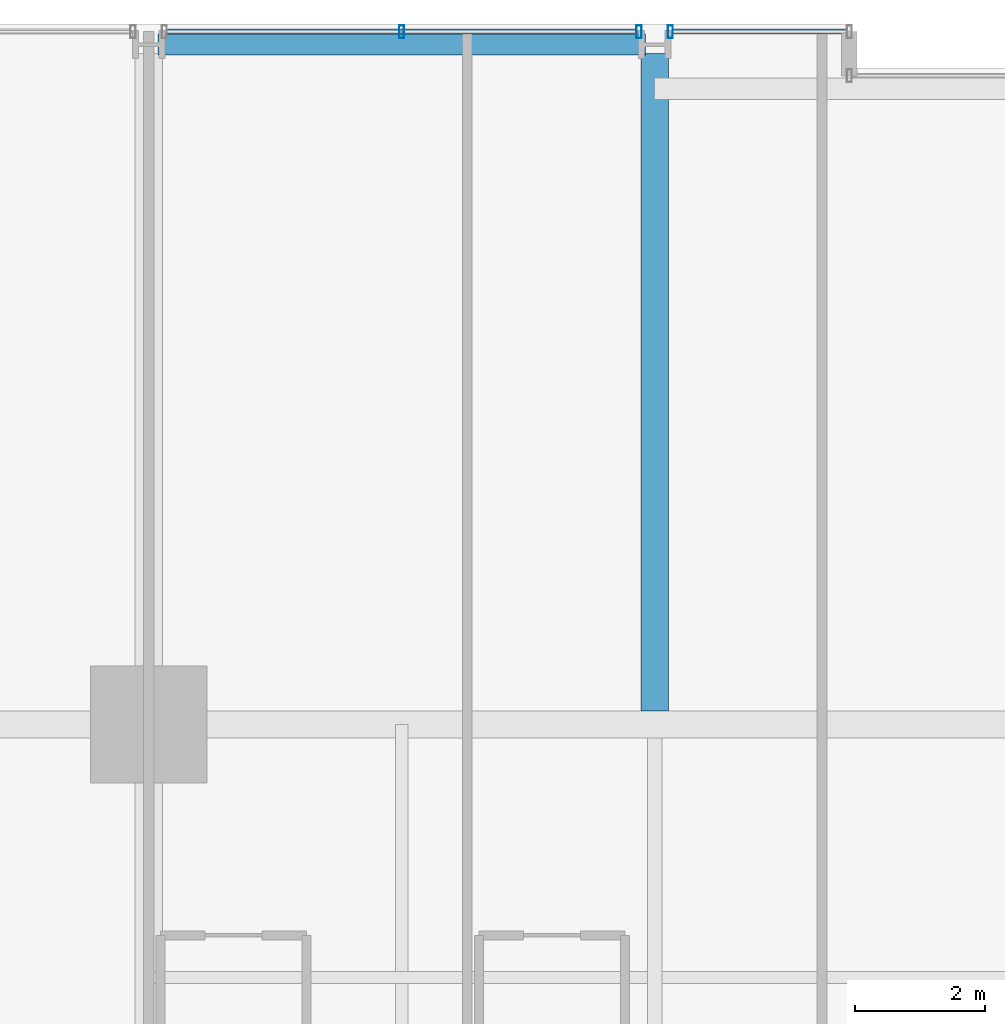
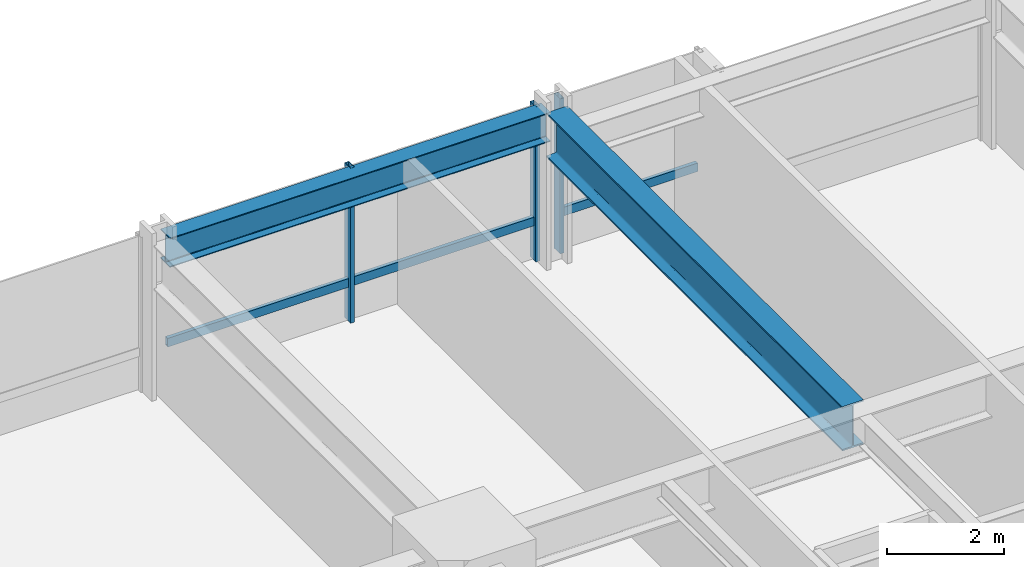
# One storey, part 22 of 42: 5 members, 2 beams, 2 elements without a shape of their own.
"""IFC4 building model written with IfcOpenShell, lengths in metres."""

from ifc_helpers import new_model, si_unit, direction, frame, origin, origin_2d, place, context, subcontext, project, spatial, hollow_rectangle, i_section, extrude, material, layer, layer_set, material_profile, profile_set, type_object, element, aggregate, save


model = new_model("IFC4")

# Units and contexts
model_context = context("Model", 3, precision=1e-05, world=origin(), true_north=direction((0.0, 1.0)))
body_context = subcontext(model_context, "Body", "Model", "MODEL_VIEW")
ifc_project = project(units=[si_unit("LENGTHUNIT", "METRE"), si_unit("AREAUNIT", "SQUARE_METRE"), si_unit("VOLUMEUNIT", "CUBIC_METRE"), si_unit("PLANEANGLEUNIT", "RADIAN"), si_unit("MASSUNIT", "GRAM", prefix="KILO")], contexts=[model_context])

# Site, building, storey
site_placement = place(None, origin())
site = spatial("IfcSite", under=ifc_project, at=site_placement, CompositionType="ELEMENT")
building_placement = place(site_placement, origin())
building = spatial("IfcBuilding", under=site, at=building_placement, Name="Drelvath Grand Hotel", CompositionType="ELEMENT")
storey_placement = place(building_placement, frame((0.0, 0.0, 33.199951171875)))
storey = spatial("IfcBuildingStorey", under=building, at=storey_placement, Name="L06", CompositionType="ELEMENT", Elevation=33.199951171875)

# Curtain wall, member
ifc_material_1 = material(Name="Warm Bronze Anodised Aluminium Frame", Category="aluminium")
ifc_layer = layer(ifc_material_1, 0.199951171875)
ifc_layer_set = layer_set([ifc_layer], Name="Warm Bronze Anodised Aluminium Frame")
curtain_wall_type = type_object("IfcCurtainWallType", Name="Stick Curtain Wall CW-02 Warm Bronze Low-Rise", PredefinedType="NOTDEFINED", material=ifc_layer_set)
curtain_wall_1_placement = place(storey_placement, origin())
curtain_wall_1 = element("IfcCurtainWall", 1, at=curtain_wall_1_placement, inside=storey, type_object=curtain_wall_type, Name="L06 CW-02 Curtain Wall CW02-L06-NW2", PredefinedType="NOTDEFINED")
ifc_material_profile_1 = material_profile(ifc_material_1, hollow_rectangle(XDim=0.074951171875, YDim=0.179931640625, WallThickness=0.0048828125, at=origin_2d()), Name="HSS180X75X5")
ifc_profile_set_1 = profile_set([ifc_material_profile_1], Name="Warm Bronze Anodised Aluminium Frame")
member_type_1 = type_object("IfcMemberType", Name="Curtain Wall Horizontal Transom CW-02 HSS180X75X5", PredefinedType="USERDEFINED", material=ifc_profile_set_1)
member_1_placement = place(storey_placement, frame((-15.919189453125, 53.8798828125, 0.81005859375), z_axis=(1.0, 0.0, 0.0), x_axis=(0.0, 1.0, 0.0)))
member_1 = element("IfcMember", 2, at=member_1_placement, type_object=member_type_1, Name="CW02-L06-NW2 Sill Transom", ObjectType="TRANSOM", PredefinedType="USERDEFINED", context=body_context, shape_type="SweptSolid", body=[
    extrude(hollow_rectangle(XDim=0.074951171875, YDim=0.179931640625, WallThickness=0.0048828125, at=origin_2d()), origin(), (0.0, 0.0, 1.0), 7.23828125),
])

curtain_wall_2_placement = place(storey_placement, origin())
curtain_wall_2 = element("IfcCurtainWall", 3, at=curtain_wall_2_placement, inside=storey, type_object=curtain_wall_type, Name="L06 CW-02 Curtain Wall CW02-L06-NW3", PredefinedType="NOTDEFINED")
member_2_placement = place(storey_placement, frame((-8.119140625, 53.8798828125, 0.81005859375), z_axis=(1.0, 0.0, 0.0), x_axis=(0.0, 1.0, 0.0)))
member_2 = element("IfcMember", 4, at=member_2_placement, type_object=member_type_1, Name="CW02-L06-NW3 Sill Transom", ObjectType="TRANSOM", PredefinedType="USERDEFINED", context=body_context, shape_type="SweptSolid", body=[
    extrude(hollow_rectangle(XDim=0.074951171875, YDim=0.179931640625, WallThickness=0.0048828125, at=origin_2d()), origin(), (0.0, 0.0, 1.0), 2.67919921875),
])

# Member
ifc_material_profile_2 = material_profile(ifc_material_1, hollow_rectangle(XDim=0.080078125, YDim=0.199951171875, WallThickness=0.0048828125, at=origin_2d()), Name="HSS200X80X5")
ifc_profile_set_2 = profile_set([ifc_material_profile_2], Name="Warm Bronze Anodised Aluminium Frame")
member_type_2 = type_object("IfcMemberType", Name="Curtain Wall Vertical Mullion CW-02 HSS200X80X5", PredefinedType="MULLION", material=ifc_profile_set_2)
member_3_placement = place(storey_placement, frame((-12.300048828125, 53.8798828125, 0.0), z_axis=(0.0, 0.0, 1.0), x_axis=(1.0, 0.0, 0.0)))
member_3 = element("IfcMember", 5, at=member_3_placement, type_object=member_type_2, Name="CW02-L06-NW2 Mullion 2", PredefinedType="MULLION", context=body_context, shape_type="SweptSolid", body=[
    extrude(hollow_rectangle(XDim=0.080078125, YDim=0.199951171875, WallThickness=0.0048828125, at=origin_2d()), origin(), (0.0, 0.0, 1.0), 3.239990234375),
])

member_4_placement = place(storey_placement, frame((-8.640869140625, 53.8798828125, 0.0), z_axis=(0.0, 0.0, 1.0), x_axis=(1.0, 0.0, 0.0)))
member_4 = element("IfcMember", 6, at=member_4_placement, type_object=member_type_2, Name="CW02-L06-NW2 Mullion 3", PredefinedType="MULLION", context=body_context, shape_type="SweptSolid", body=[
    extrude(hollow_rectangle(XDim=0.080078125, YDim=0.199951171875, WallThickness=0.0048828125, at=origin_2d()), origin(), (0.0, 0.0, 1.0), 3.239990234375),
])

aggregate(curtain_wall_1, [member_3, member_4, member_1])

member_5_placement = place(storey_placement, frame((-8.1591796875, 53.8798828125, 0.0), z_axis=(0.0, 0.0, 1.0), x_axis=(1.0, 0.0, 0.0)))
member_5 = element("IfcMember", 7, at=member_5_placement, type_object=member_type_2, Name="CW02-L06-NW3 Mullion 1", PredefinedType="MULLION", context=body_context, shape_type="SweptSolid", body=[
    extrude(hollow_rectangle(XDim=0.080078125, YDim=0.199951171875, WallThickness=0.0048828125, at=origin_2d()), origin(), (0.0, 0.0, 1.0), 3.239990234375),
])

aggregate(curtain_wall_2, [member_5, member_2])

# Beams
ifc_material_2 = material(Name="Steel ASTM A992 Gr 50", Category="steel")
ifc_material_profile_3 = material_profile(ifc_material_2, i_section(OverallWidth=0.323974609375, OverallDepth=0.611083984375, WebThickness=0.0126953125, FlangeThickness=0.01904296875, FilletRadius=0.02197265625, at=origin_2d()), Name="W24X104")
ifc_profile_set_3 = profile_set([ifc_material_profile_3], Name="Steel ASTM A992 Gr 50")
beam_type_1 = type_object("IfcBeamType", Name="Perimeter Spandrel Beam W24X104", PredefinedType="SPANDREL", material=ifc_profile_set_3)
beam_1_placement = place(storey_placement, frame((-16.06005859375, 53.679931640625, 2.9345703125), z_axis=(1.0, 0.0, 0.0), x_axis=(0.0, 1.0, 0.0)))
element("IfcBeam", 8, at=beam_1_placement, inside=storey, type_object=beam_type_1, Name="L06 Spandrel North W", PredefinedType="SPANDREL", context=body_context, shape_type="SweptSolid", body=[
    extrude(i_section(OverallWidth=0.323974609375, OverallDepth=0.611083984375, WebThickness=0.0126953125, FlangeThickness=0.01904296875, FilletRadius=0.02197265625, at=origin_2d()), origin(), (0.0, 0.0, 1.0), 7.52001953125),
])
ifc_material_profile_4 = material_profile(ifc_material_2, i_section(OverallWidth=0.418212890625, OverallDepth=0.926513671875, WebThickness=0.019287109375, FlangeThickness=0.031982421875, FilletRadius=0.028076171875, at=origin_2d()), Name="W36X231")
ifc_profile_set_4 = profile_set([ifc_material_profile_4], Name="Steel ASTM A992 Gr 50")
beam_type_2 = type_object("IfcBeamType", Name="Primary Floor Girder W36X231", PredefinedType="BEAM", material=ifc_profile_set_4)
beam_2_placement = place(storey_placement, frame((-8.39990234375, 43.4091796875, 2.77685546875), z_axis=(0.0, 1.0, 0.0), x_axis=(-1.0, 0.0, 0.0)))
element("IfcBeam", 9, at=beam_2_placement, inside=storey, type_object=beam_type_2, Name="L06 North Wing Girder 4", PredefinedType="BEAM", context=body_context, shape_type="SweptSolid", body=[
    extrude(i_section(OverallWidth=0.418212890625, OverallDepth=0.926513671875, WebThickness=0.019287109375, FlangeThickness=0.031982421875, FilletRadius=0.028076171875, at=origin_2d()), origin(), (0.0, 0.0, 1.0), 10.130859375),
])

save(model, "model.ifc")
